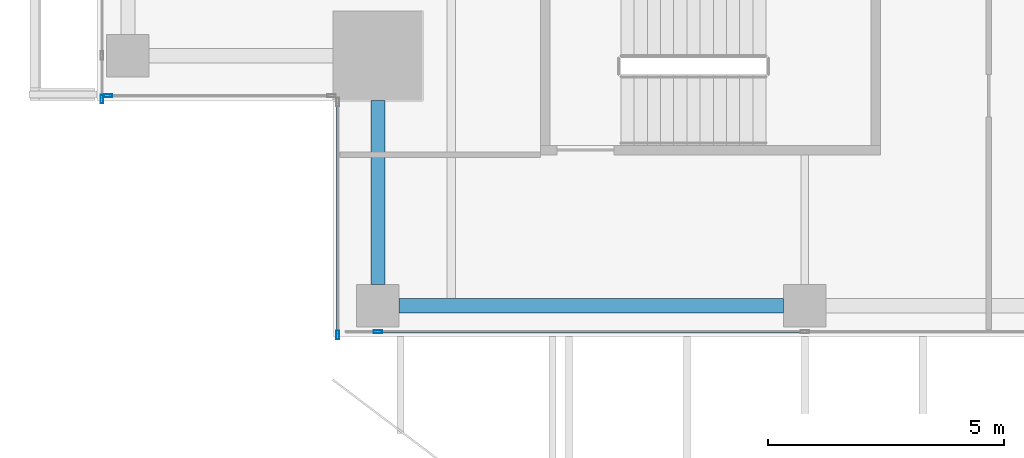
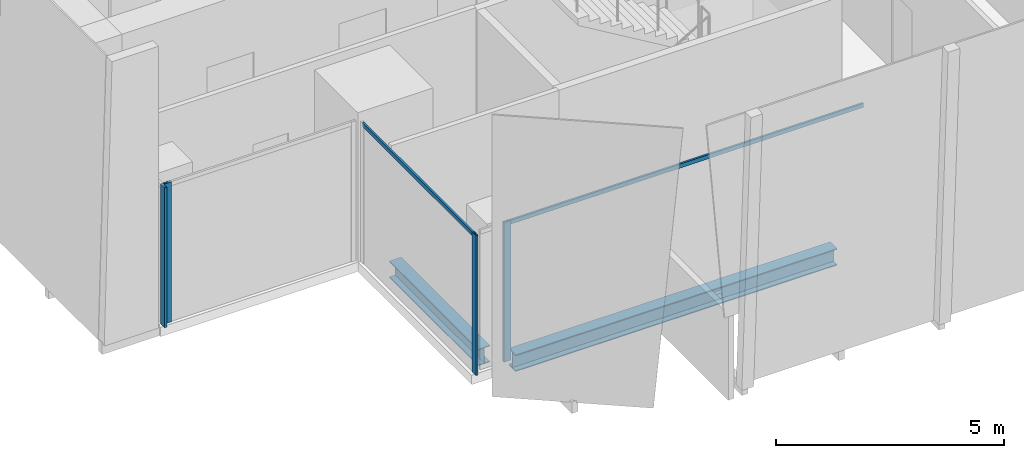
# One storey, part 2 of 35: 6 members, 2 beams, 4 elements without a shape of their own.
"""IFC4 building model written with IfcOpenShell, lengths in metres."""

from ifc_helpers import new_model, si_unit, direction, frame, origin, origin_2d, place, context, subcontext, project, spatial, hollow_rectangle, i_section, extrude, source, transform, mapped, material, material_profile, profile_set, type_object, element, aggregate, save


model = new_model("IFC4")

# Units and contexts
model_context = context("Model", 3, precision=1e-05, world=origin(), true_north=direction((0.0, 1.0)))
body_context = subcontext(model_context, "Body", "Model", "MODEL_VIEW")
ifc_project = project(units=[si_unit("LENGTHUNIT", "METRE"), si_unit("AREAUNIT", "SQUARE_METRE"), si_unit("VOLUMEUNIT", "CUBIC_METRE"), si_unit("PLANEANGLEUNIT", "RADIAN"), si_unit("MASSUNIT", "GRAM", prefix="KILO")], contexts=[model_context])

# Site, building, storey
site_placement = place(None, origin())
site = spatial("IfcSite", under=ifc_project, at=site_placement, CompositionType="ELEMENT")
building_placement = place(site_placement, origin())
building = spatial("IfcBuilding", under=site, at=building_placement, Name="Khomas Fold Tower", CompositionType="ELEMENT")
storey_placement = place(building_placement, frame((0.0, 0.0, 266.199951171875)))
storey = spatial("IfcBuildingStorey", under=building, at=storey_placement, Name="L60", CompositionType="ELEMENT", Elevation=266.199951171875)

# Beams
ifc_material_1 = material(Name="Steel S355", Category="steel")
ifc_material_profile_1 = material_profile(ifc_material_1, i_section(OverallWidth=0.300048828125, OverallDepth=0.449951171875, WebThickness=0.013916015625, FlangeThickness=0.02587890625, at=origin_2d()), Name="HE 450 B")
ifc_profile_set_1 = profile_set([ifc_material_profile_1], Name="Steel S355")
beam_type = type_object("IfcBeamType", Name="HE 450 B spandrel SB4", PredefinedType="SPANDREL", material=ifc_profile_set_1)
shared_shape_1 = source(origin(), body_context, "Body", "SweptSolid", [
    extrude(i_section(OverallWidth=0.300048828125, OverallDepth=0.449951171875, WebThickness=0.013916015625, FlangeThickness=0.02587890625, at=origin_2d()), origin(), (0.0, 0.0, 1.0), 8.150146484375),
])
beam_1_placement = place(storey_placement, frame((10.89990234375, 5.14990234375, -0.474853515625), z_axis=(1.0, 0.0, 0.0), x_axis=(0.0, 1.0, 0.0)))
element("IfcBeam", 1, at=beam_1_placement, inside=storey, type_object=beam_type, Name="SB4", PredefinedType="SPANDREL", context=body_context, shape_type="MappedRepresentation", body=[
    mapped(shared_shape_1, transform((0.0, 0.0, 0.0))),
])
shared_shape_2 = source(origin(), body_context, "Body", "SweptSolid", [
    extrude(i_section(OverallWidth=0.300048828125, OverallDepth=0.449951171875, WebThickness=0.013916015625, FlangeThickness=0.02587890625, at=origin_2d()), origin(), (0.0, 0.0, 1.0), 3.89990234375),
])
beam_2_placement = place(storey_placement, frame((10.449951171875, 5.60009765625, -0.474853515625), z_axis=(0.0, 1.0, 0.0), x_axis=(-1.0, 0.0, 0.0)))
element("IfcBeam", 2, at=beam_2_placement, inside=storey, type_object=beam_type, Name="SB4", PredefinedType="SPANDREL", context=body_context, shape_type="MappedRepresentation", body=[
    mapped(shared_shape_2, transform((0.0, 0.0, 0.0))),
])

# Curtain wall, member
ifc_material_2 = material(Name="Aluminium framed double glazing", Category="aluminium")
curtain_wall_type = type_object("IfcCurtainWallType", Name="SK-Unitised clear-glass wall, office floors CW2", PredefinedType="NOTDEFINED", material=ifc_material_2)
curtain_wall_1_placement = place(storey_placement, origin())
curtain_wall_1 = element("IfcCurtainWall", 3, at=curtain_wall_1_placement, inside=storey, type_object=curtain_wall_type, Name="CW2 run L60 00-0", PredefinedType="NOTDEFINED")
ifc_material_3 = material(Name="Aluminium", Category="aluminium")
ifc_material_profile_2 = material_profile(ifc_material_3, hollow_rectangle(XDim=0.06005859375, YDim=0.179931640625, WallThickness=0.00390625, at=origin_2d()), Name="SK-Unitised clear-glass wall, office floors mullion CW2-M")
ifc_profile_set_2 = profile_set([ifc_material_profile_2], Name="Aluminium")
member_type_1 = type_object("IfcMemberType", Name="SK-Unitised clear-glass wall, office floors mullion CW2-M", PredefinedType="MULLION", material=ifc_profile_set_2)
shared_shape_3 = source(origin(), body_context, "Body", "SweptSolid", [
    extrude(hollow_rectangle(XDim=0.06005859375, YDim=0.179931640625, WallThickness=0.00390625, at=origin_2d()), origin(), (0.0, 0.0, 1.0), 3.75),
])
member_1_placement = place(storey_placement, frame((10.449951171875, 4.60009765625, 0.0), z_axis=(0.0, 0.0, 1.0), x_axis=(0.0, 1.0, 0.0)))
member_1 = element("IfcMember", 4, at=member_1_placement, type_object=member_type_1, Name="CW2 mullion 2", PredefinedType="MULLION", context=body_context, shape_type="MappedRepresentation", body=[
    mapped(shared_shape_3, transform((0.0, 0.0, 0.0))),
])

curtain_wall_2_placement = place(storey_placement, origin())
curtain_wall_2 = element("IfcCurtainWall", 5, at=curtain_wall_2_placement, inside=storey, type_object=curtain_wall_type, Name="CW2 run L60 09-0", PredefinedType="NOTDEFINED")
member_2_placement = place(storey_placement, frame((4.60009765625, 9.530029296875, 0.0), z_axis=(0.0, 0.0, 1.0), x_axis=(1.0, 0.0, 0.0)))
member_2 = element("IfcMember", 6, at=member_2_placement, type_object=member_type_1, Name="CW2 mullion 7", PredefinedType="MULLION", context=body_context, shape_type="MappedRepresentation", body=[
    mapped(shared_shape_3, transform((0.0, 0.0, 0.0))),
])
aggregate(curtain_wall_2, [member_2])

curtain_wall_3_placement = place(storey_placement, origin())
curtain_wall_3 = element("IfcCurtainWall", 7, at=curtain_wall_3_placement, inside=storey, type_object=curtain_wall_type, Name="CW2 corner return L60 10", PredefinedType="NOTDEFINED")
member_3_placement = place(storey_placement, frame((4.72998046875, 9.60009765625, 0.0), z_axis=(0.0, 0.0, 1.0), x_axis=(0.0, 1.0, 0.0)))
member_3 = element("IfcMember", 8, at=member_3_placement, type_object=member_type_1, Name="CW2 mullion 1", PredefinedType="MULLION", context=body_context, shape_type="MappedRepresentation", body=[
    mapped(shared_shape_3, transform((0.0, 0.0, 0.0))),
])
aggregate(curtain_wall_3, [member_3])

curtain_wall_4_placement = place(storey_placement, origin())
curtain_wall_4 = element("IfcCurtainWall", 9, at=curtain_wall_4_placement, inside=storey, type_object=curtain_wall_type, Name="CW2 corner return L60 11", PredefinedType="NOTDEFINED")
member_4_placement = place(storey_placement, frame((9.60009765625, 4.530029296875, 0.0), z_axis=(0.0, 0.0, 1.0), x_axis=(1.0, 0.0, 0.0)))
member_4 = element("IfcMember", 10, at=member_4_placement, type_object=member_type_1, Name="CW2 mullion 2", PredefinedType="MULLION", context=body_context, shape_type="MappedRepresentation", body=[
    mapped(shared_shape_3, transform((0.0, 0.0, 0.0))),
])

# Member
ifc_material_4 = material(Name="Aluminium", Category="aluminium")
ifc_material_profile_3 = material_profile(ifc_material_4, hollow_rectangle(XDim=0.050048828125, YDim=0.110107421875, WallThickness=0.00390625, at=origin_2d()), Name="SK-Unitised clear-glass wall, office floors transom CW2-T")
ifc_profile_set_3 = profile_set([ifc_material_profile_3], Name="Aluminium")
member_type_2 = type_object("IfcMemberType", Name="SK-Unitised clear-glass wall, office floors transom CW2-T", PredefinedType="USERDEFINED", material=ifc_profile_set_3)
shared_shape_4 = source(origin(), body_context, "Body", "SweptSolid", [
    extrude(hollow_rectangle(XDim=0.050048828125, YDim=0.110107421875, WallThickness=0.00390625, at=origin_2d()), origin(), (0.0, 0.0, 1.0), 8.989990234375),
])
member_5_placement = place(storey_placement, frame((10.47998046875, 4.60009765625, 3.695068359375), z_axis=(1.0, 0.0, 0.0), x_axis=(0.0, 1.0, 0.0)))
member_5 = element("IfcMember", 11, at=member_5_placement, type_object=member_type_2, Name="CW2 transom 2", ObjectType="TRANSOM", PredefinedType="USERDEFINED", context=body_context, shape_type="MappedRepresentation", body=[
    mapped(shared_shape_4, transform((0.0, 0.0, 0.0))),
])

aggregate(curtain_wall_1, [member_1, member_5])

shared_shape_5 = source(origin(), body_context, "Body", "SweptSolid", [
    extrude(hollow_rectangle(XDim=0.050048828125, YDim=0.110107421875, WallThickness=0.00390625, at=origin_2d()), origin(), (0.0, 0.0, 1.0), 4.8798828125),
])
member_6_placement = place(storey_placement, frame((9.60009765625, 9.43994140625, 3.695068359375), z_axis=(0.0, -1.0, 0.0), x_axis=(1.0, 0.0, 0.0)))
member_6 = element("IfcMember", 12, at=member_6_placement, type_object=member_type_2, Name="CW2 transom 1", ObjectType="TRANSOM", PredefinedType="USERDEFINED", context=body_context, shape_type="MappedRepresentation", body=[
    mapped(shared_shape_5, transform((0.0, 0.0, 0.0))),
])

aggregate(curtain_wall_4, [member_4, member_6])

save(model, "model.ifc")
